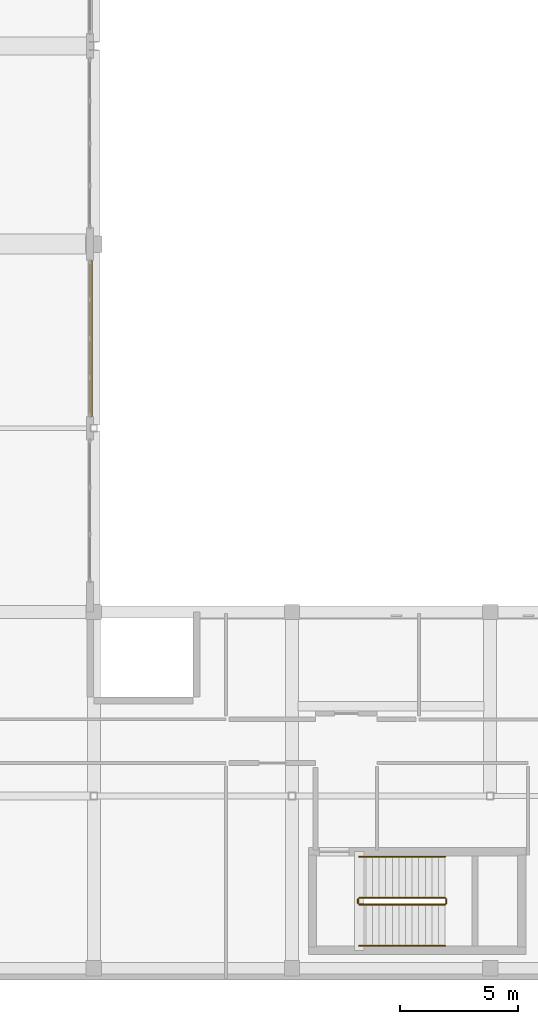
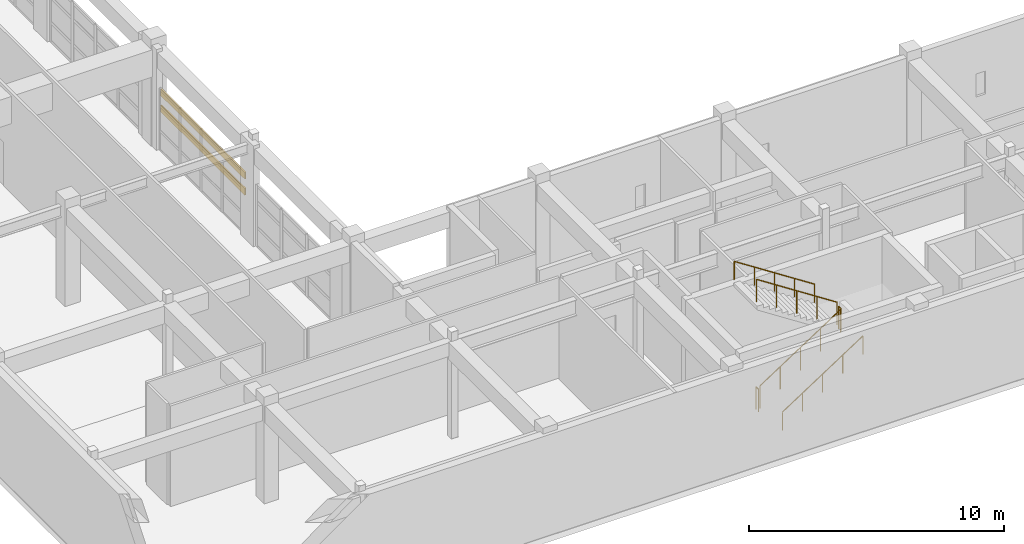
# One storey, part 94 of 103: 6 railings, 2 shading devices.
"""IFC4 building model written with IfcOpenShell, lengths in metres."""

from ifc_helpers import new_model, si_unit, direction, frame, origin, origin_2d, place, context, subcontext, project, spatial, hollow_rectangle, circle, extrude, material, material_profile, profile_set, type_object, element, save


model = new_model("IFC4")

# Units and contexts
model_context = context("Model", 3, precision=1e-05, world=origin(), true_north=direction((0.0, 1.0)))
body_context = subcontext(model_context, "Body", "Model", "MODEL_VIEW")
ifc_project = project(units=[si_unit("LENGTHUNIT", "METRE"), si_unit("AREAUNIT", "SQUARE_METRE"), si_unit("VOLUMEUNIT", "CUBIC_METRE"), si_unit("PLANEANGLEUNIT", "RADIAN"), si_unit("MASSUNIT", "GRAM", prefix="KILO")], contexts=[model_context])

# Site, building, storey
site_placement = place(None, origin())
site = spatial("IfcSite", under=ifc_project, at=site_placement, CompositionType="ELEMENT")
building_placement = place(site_placement, origin())
building = spatial("IfcBuilding", under=site, at=building_placement, Name="Quendrovan Civic Courthouse", CompositionType="ELEMENT")
storey_placement = place(building_placement, frame((0.0, 0.0, 15.300048828125)))
storey = spatial("IfcBuildingStorey", under=building, at=storey_placement, Name="L04", CompositionType="ELEMENT", Elevation=15.300048828125)

# Railings
ifc_material_1 = material(Name="Painted galvanized steel", Category="steel")
railing_type_1 = type_object("IfcRailingType", Name="RL-STR-GUARD1100", PredefinedType="GUARDRAIL", material=ifc_material_1)
railing_1_placement = place(storey_placement, frame((28.050048828125, 3.199951171875, 0.18212890625)))
element("IfcRailing", 1, at=railing_1_placement, inside=storey, type_object=railing_type_1, Name="L04 ST5 stair guard 1", PredefinedType="GUARDRAIL", context=body_context, shape_type="SweptSolid", body=[
    extrude(circle(Radius=0.02392578125, at=origin_2d()), frame((0.0, 0.0, 1.076171875), z_axis=(0.838234174257, 0.0, 0.545310433706), x_axis=(0.0, 1.0, 0.0)), (0.0, 0.0, 1.0), 4.34228515625),
    extrude(circle(Radius=0.02099609375, at=origin_2d()), origin(), (0.0, 0.0, 1.0), 1.052001953125),
    extrude(circle(Radius=0.02099609375, at=origin_2d()), frame((0.909912109375, 0.0, 0.592041015625)), (0.0, 0.0, 1.0), 1.052001953125),
    extrude(circle(Radius=0.02099609375, at=origin_2d()), frame((1.81982421875, 0.0, 1.18408203125)), (0.0, 0.0, 1.0), 1.052001953125),
    extrude(circle(Radius=0.02099609375, at=origin_2d()), frame((2.72998046875, 0.0, 1.77587890625)), (0.0, 0.0, 1.0), 1.052001953125),
    extrude(circle(Radius=0.02099609375, at=origin_2d()), frame((3.639892578125, 0.0, 2.367919921875)), (0.0, 0.0, 1.0), 1.052001953125),
])
railing_2_placement = place(storey_placement, frame((31.739990234375, 3.25, 2.550048828125)))
element("IfcRailing", 2, at=railing_2_placement, inside=storey, type_object=railing_type_1, Name="L04 ST5 stair guard 2", PredefinedType="GUARDRAIL", context=body_context, shape_type="SweptSolid", body=[
    extrude(circle(Radius=0.02392578125, at=origin_2d()), frame((0.0, 0.0, 1.076171875), z_axis=(0.0, 1.0, 0.0), x_axis=(-1.0, 0.0, 0.0)), (0.0, 0.0, 1.0), 0.179931640625),
    extrude(circle(Radius=0.02099609375, at=origin_2d()), origin(), (0.0, 0.0, 1.0), 1.052001953125),
    extrude(circle(Radius=0.02099609375, at=origin_2d()), frame((0.0, 0.179931640625, 0.0)), (0.0, 0.0, 1.0), 1.052001953125),
])
railing_3_placement = place(storey_placement, frame((31.68994140625, 3.47998046875, 2.732177734375)))
element("IfcRailing", 3, at=railing_3_placement, inside=storey, type_object=railing_type_1, Name="L04 ST5 stair guard 3", PredefinedType="GUARDRAIL", context=body_context, shape_type="SweptSolid", body=[
    extrude(circle(Radius=0.02392578125, at=origin_2d()), frame((0.0, 0.0, 1.076171875), z_axis=(-0.838259873693, 0.0, 0.545270927297), x_axis=(0.0, -1.0, 0.0)), (0.0, 0.0, 1.0), 4.34228515625),
    extrude(circle(Radius=0.02099609375, at=origin_2d()), origin(), (0.0, 0.0, 1.0), 1.052001953125),
    extrude(circle(Radius=0.02099609375, at=origin_2d()), frame((-0.909912109375, 0.0, 0.591796875)), (0.0, 0.0, 1.0), 1.052001953125),
    extrude(circle(Radius=0.02099609375, at=origin_2d()), frame((-1.81982421875, 0.0, 1.183837890625)), (0.0, 0.0, 1.0), 1.052001953125),
    extrude(circle(Radius=0.02099609375, at=origin_2d()), frame((-2.72998046875, 0.0, 1.77587890625)), (0.0, 0.0, 1.0), 1.052001953125),
    extrude(circle(Radius=0.02099609375, at=origin_2d()), frame((-3.639892578125, 0.0, 2.36767578125)), (0.0, 0.0, 1.0), 1.052001953125),
])
railing_4_placement = place(storey_placement, frame((28.0, 3.25, 0.0)))
element("IfcRailing", 4, at=railing_4_placement, inside=storey, type_object=railing_type_1, Name="L04 ST5 stair guard 4", PredefinedType="GUARDRAIL", context=body_context, shape_type="SweptSolid", body=[
    extrude(circle(Radius=0.02392578125, at=origin_2d()), frame((0.0, 0.0, 1.076171875), z_axis=(0.0, 1.0, 0.0), x_axis=(-1.0, 0.0, 0.0)), (0.0, 0.0, 1.0), 0.179931640625),
    extrude(circle(Radius=0.02099609375, at=origin_2d()), origin(), (0.0, 0.0, 1.0), 1.052001953125),
    extrude(circle(Radius=0.02099609375, at=origin_2d()), frame((0.0, 0.179931640625, 0.0)), (0.0, 0.0, 1.0), 1.052001953125),
])
ifc_material_2 = material(Name="Bronze anodised aluminium", Category="aluminium")
railing_type_2 = type_object("IfcRailingType", Name="RL-STR-HAND900", PredefinedType="HANDRAIL", material=ifc_material_2)
railing_5_placement = place(storey_placement, frame((28.050048828125, 1.449951171875, 0.18212890625)))
element("IfcRailing", 5, at=railing_5_placement, inside=storey, type_object=railing_type_2, Name="L04 ST5 stair handrail 1", PredefinedType="HANDRAIL", context=body_context, shape_type="SweptSolid", body=[
    extrude(circle(Radius=0.02392578125, at=origin_2d()), frame((0.0, 0.0, 0.8759765625), z_axis=(0.838234174257, 0.0, 0.545310433706), x_axis=(0.0, 1.0, 0.0)), (0.0, 0.0, 1.0), 4.34228515625),
    extrude(circle(Radius=0.02099609375, at=origin_2d()), origin(), (0.0, 0.0, 1.0), 0.851806640625),
    extrude(circle(Radius=0.02099609375, at=origin_2d()), frame((0.909912109375, 0.0, 0.592041015625)), (0.0, 0.0, 1.0), 0.851806640625),
    extrude(circle(Radius=0.02099609375, at=origin_2d()), frame((1.81982421875, 0.0, 1.18408203125)), (0.0, 0.0, 1.0), 0.851806640625),
    extrude(circle(Radius=0.02099609375, at=origin_2d()), frame((2.72998046875, 0.0, 1.77587890625)), (0.0, 0.0, 1.0), 0.851806640625),
    extrude(circle(Radius=0.02099609375, at=origin_2d()), frame((3.639892578125, 0.0, 2.367919921875)), (0.0, 0.0, 1.0), 0.851806640625),
])
railing_6_placement = place(storey_placement, frame((31.68994140625, 5.22998046875, 2.732177734375)))
element("IfcRailing", 6, at=railing_6_placement, inside=storey, type_object=railing_type_2, Name="L04 ST5 stair handrail 2", PredefinedType="HANDRAIL", context=body_context, shape_type="SweptSolid", body=[
    extrude(circle(Radius=0.02392578125, at=origin_2d()), frame((0.0, 0.0, 0.8759765625), z_axis=(-0.838259873693, 0.0, 0.545270927297), x_axis=(0.0, -1.0, 0.0)), (0.0, 0.0, 1.0), 4.34228515625),
    extrude(circle(Radius=0.02099609375, at=origin_2d()), origin(), (0.0, 0.0, 1.0), 0.851806640625),
    extrude(circle(Radius=0.02099609375, at=origin_2d()), frame((-0.909912109375, 0.0, 0.591796875)), (0.0, 0.0, 1.0), 0.851806640625),
    extrude(circle(Radius=0.02099609375, at=origin_2d()), frame((-1.81982421875, 0.0, 1.183837890625)), (0.0, 0.0, 1.0), 0.851806640625),
    extrude(circle(Radius=0.02099609375, at=origin_2d()), frame((-2.72998046875, 0.0, 1.77587890625)), (0.0, 0.0, 1.0), 0.851806640625),
    extrude(circle(Radius=0.02099609375, at=origin_2d()), frame((-3.639892578125, 0.0, 2.36767578125)), (0.0, 0.0, 1.0), 0.851806640625),
])

# Shading devices
ifc_material_profile = material_profile(ifc_material_2, hollow_rectangle(XDim=0.06494140625, YDim=0.320068359375, WallThickness=0.0048828125, at=origin_2d()), Name="AL-LOUVRE-65x320")
ifc_profile_set = profile_set([ifc_material_profile], Name="Bronze anodised aluminium")
shading_device_type = type_object("IfcShadingDeviceType", Name="SHD-STORM-LOUVRE", PredefinedType="JALOUSIE", material=ifc_profile_set)
for number, where, z_axis, x_axis, name in (
    (7, (16.715087890625, 30.5, 1.949951171875), (0.0, -1.0, 0.0), (1.0, 0.0, 0.0), "L04 Bronze Hurricane Storm Louvre SLV-153"),
    (8, (16.715087890625, 30.5, 2.719970703125), (0.0, -1.0, 0.0), (1.0, 0.0, 0.0), "L04 Bronze Hurricane Storm Louvre SLV-154"),
):
    element("IfcShadingDevice", number, at=place(storey_placement, frame(where, z_axis=z_axis, x_axis=x_axis)), inside=storey, type_object=shading_device_type, Name=name, PredefinedType="JALOUSIE", context=body_context, shape_type="SweptSolid", body=[
        extrude(hollow_rectangle(XDim=0.06494140625, YDim=0.320068359375, WallThickness=0.0048828125, at=origin_2d()), origin(), (0.0, 0.0, 1.0), 6.60009765625),
    ])

save(model, "model.ifc")
